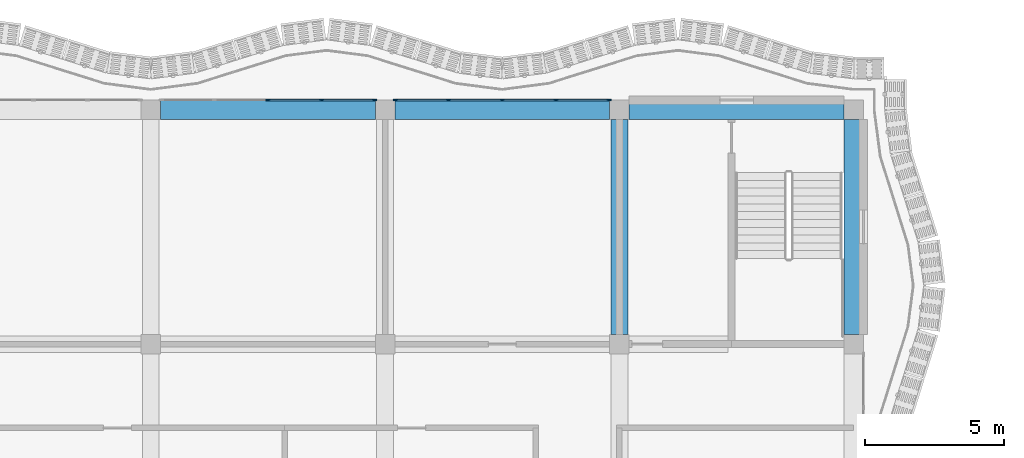
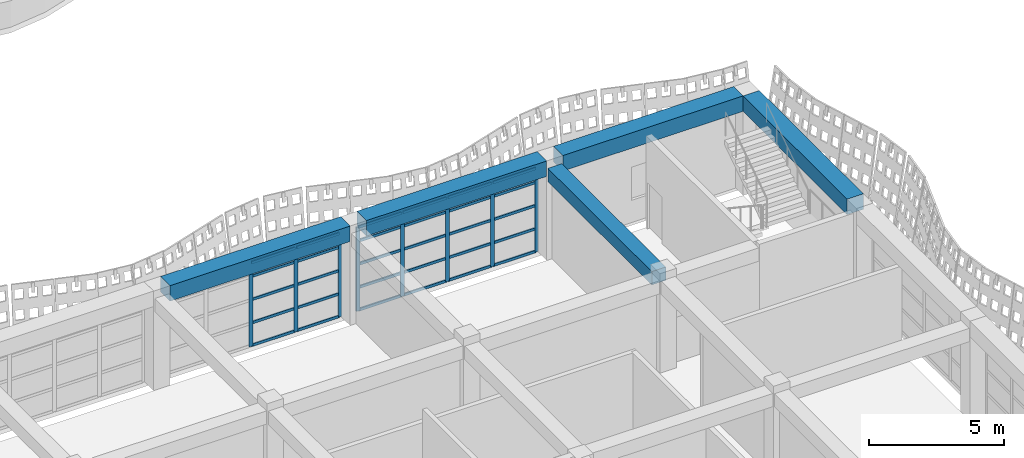
# One storey, part 11 of 163: 38 members, 5 beams, 2 elements without a shape of their own.
"""IFC4 building model written with IfcOpenShell, lengths in metres."""

from ifc_helpers import new_model, si_unit, direction, frame, origin, origin_2d, place, context, subcontext, project, spatial, rectangle, extrude, material, material_profile, profile_set, type_object, element, aggregate, save


model = new_model("IFC4")

# Units and contexts
model_context = context("Model", 3, precision=1e-05, world=origin(), true_north=direction((0.0, 1.0)))
body_context = subcontext(model_context, "Body", "Model", "MODEL_VIEW")
ifc_project = project(units=[si_unit("LENGTHUNIT", "METRE"), si_unit("AREAUNIT", "SQUARE_METRE"), si_unit("VOLUMEUNIT", "CUBIC_METRE"), si_unit("PLANEANGLEUNIT", "RADIAN"), si_unit("MASSUNIT", "GRAM", prefix="KILO")], contexts=[model_context])

# Site, building, storey
site_placement = place(None, origin())
site = spatial("IfcSite", under=ifc_project, at=site_placement, CompositionType="ELEMENT")
building_placement = place(site_placement, origin())
building = spatial("IfcBuilding", under=site, at=building_placement, Name="Rain Tree Exposition and Congress Centre", CompositionType="ELEMENT")
storey_placement = place(building_placement, frame((0.0, 0.0, 10.5)))
storey = spatial("IfcBuildingStorey", under=building, at=storey_placement, Name="L02", CompositionType="ELEMENT", Elevation=10.5)

# Beams
ifc_material_1 = material(Name="Precast concrete C50/60", Category="concrete")
ifc_material_profile_1 = material_profile(ifc_material_1, rectangle(XDim=0.60009765625, YDim=0.60009765625, at=origin_2d()), Name="RC 600x600")
ifc_profile_set_1 = profile_set([ifc_material_profile_1], Name="Precast concrete C50/60")
beam_type_1 = type_object("IfcBeamType", Name="Precast beam 600x600", PredefinedType="BEAM", material=ifc_profile_set_1)
beam_placement = place(storey_placement, frame((42.0, 42.35009765625, 3.85009765625), z_axis=(0.0, 1.0, 0.0), x_axis=(-1.0, 0.0, 0.0)))
element("IfcBeam", 1, at=beam_placement, inside=storey, type_object=beam_type_1, Name="wing/beam/L02/L03/060", PredefinedType="BEAM", context=body_context, shape_type="SweptSolid", body=[
    extrude(rectangle(XDim=0.60009765625, YDim=0.60009765625, at=origin_2d()), origin(), (0.0, 0.0, 1.0), 7.699951171875),
])
ifc_material_2 = material(Name="Precast concrete C50/60", Category="concrete")
ifc_material_profile_2 = material_profile(ifc_material_2, rectangle(XDim=0.699951171875, YDim=0.699951171875, at=origin_2d()), Name="RC 700x700")
ifc_profile_set_2 = profile_set([ifc_material_profile_2], Name="Precast concrete C50/60")
beam_type_2 = type_object("IfcBeamType", Name="Precast spandrel beam 700x700", PredefinedType="SPANDREL", material=ifc_profile_set_2)
for number, where, z_axis, x_axis, name in (
    (2, (25.550048828125, 50.39990234375, 4.14990234375), (1.0, 0.0, 0.0), (0.0, 1.0, 0.0), "wing/beam/L02/L03/067"),
    (3, (33.949951171875, 50.39990234375, 4.14990234375), (1.0, 0.0, 0.0), (0.0, 1.0, 0.0), "wing/beam/L02/L03/069"),
    (4, (42.35009765625, 50.39990234375, 4.14990234375), (1.0, 0.0, 0.0), (0.0, 1.0, 0.0), "wing/beam/L02/L03/071"),
    (5, (50.39990234375, 42.35009765625, 4.14990234375), (0.0, 1.0, 0.0), (-1.0, 0.0, 0.0), "wing/beam/L02/L03/072"),
):
    element("IfcBeam", number, at=place(storey_placement, frame(where, z_axis=z_axis, x_axis=x_axis)), inside=storey, type_object=beam_type_2, Name=name, PredefinedType="SPANDREL", context=body_context, shape_type="SweptSolid", body=[
        extrude(rectangle(XDim=0.699951171875, YDim=0.699951171875, at=origin_2d()), origin(), (0.0, 0.0, 1.0), 7.699951171875),
    ])

# Curtain wall, members
ifc_material_3 = material(Name="Aluminium curtain wall", Category="aluminium")
curtain_wall_type = type_object("IfcCurtainWallType", Name="Wing curtain wall 1925", PredefinedType="NOTDEFINED", material=ifc_material_3)
curtain_wall_1_placement = place(storey_placement, origin())
curtain_wall_1 = element("IfcCurtainWall", 6, at=curtain_wall_1_placement, inside=storey, type_object=curtain_wall_type, Name="Curtain wall CWW306", PredefinedType="NOTDEFINED")
ifc_material_4 = material(Name="Aluminium", Category="aluminium")
ifc_material_profile_3 = material_profile(ifc_material_4, rectangle(XDim=0.06005859375, YDim=0.159912109375, at=origin_2d()), Name="Aluminium 60x160")
ifc_profile_set_3 = profile_set([ifc_material_profile_3], Name="Aluminium")
member_type_1 = type_object("IfcMemberType", Name="Wing mullion 60x160", PredefinedType="MULLION", material=ifc_profile_set_3)
member_1_placement = place(storey_placement, frame((29.39990234375, 50.75, 0.0), z_axis=(0.0, 0.0, 1.0), x_axis=(0.0, 1.0, 0.0)))
member_1 = element("IfcMember", 7, at=member_1_placement, type_object=member_type_1, Name="CWW306 mullion 3", PredefinedType="MULLION", context=body_context, shape_type="SweptSolid", body=[
    extrude(rectangle(XDim=0.06005859375, YDim=0.159912109375, at=origin_2d()), origin(), (0.0, 0.0, 1.0), 3.800048828125),
])
member_2_placement = place(storey_placement, frame((31.324951171875, 50.75, 0.0), z_axis=(0.0, 0.0, 1.0), x_axis=(0.0, 1.0, 0.0)))
member_2 = element("IfcMember", 8, at=member_2_placement, type_object=member_type_1, Name="CWW306 mullion 4", PredefinedType="MULLION", context=body_context, shape_type="SweptSolid", body=[
    extrude(rectangle(XDim=0.06005859375, YDim=0.159912109375, at=origin_2d()), origin(), (0.0, 0.0, 1.0), 3.800048828125),
])
member_3_placement = place(storey_placement, frame((33.219970703125, 50.75, 0.0), z_axis=(0.0, 0.0, 1.0), x_axis=(0.0, 1.0, 0.0)))
member_3 = element("IfcMember", 9, at=member_3_placement, type_object=member_type_1, Name="CWW306 mullion 5", PredefinedType="MULLION", context=body_context, shape_type="SweptSolid", body=[
    extrude(rectangle(XDim=0.06005859375, YDim=0.159912109375, at=origin_2d()), origin(), (0.0, 0.0, 1.0), 3.800048828125),
])

curtain_wall_2_placement = place(storey_placement, origin())
curtain_wall_2 = element("IfcCurtainWall", 10, at=curtain_wall_2_placement, inside=storey, type_object=curtain_wall_type, Name="Curtain wall CWW307", PredefinedType="NOTDEFINED")
member_4_placement = place(storey_placement, frame((33.97998046875, 50.75, 0.0), z_axis=(0.0, 0.0, 1.0), x_axis=(0.0, 1.0, 0.0)))
member_4 = element("IfcMember", 11, at=member_4_placement, type_object=member_type_1, Name="CWW307 mullion 1", PredefinedType="MULLION", context=body_context, shape_type="SweptSolid", body=[
    extrude(rectangle(XDim=0.06005859375, YDim=0.159912109375, at=origin_2d()), origin(), (0.0, 0.0, 1.0), 3.800048828125),
])
member_5_placement = place(storey_placement, frame((35.875, 50.75, 0.0), z_axis=(0.0, 0.0, 1.0), x_axis=(0.0, 1.0, 0.0)))
member_5 = element("IfcMember", 12, at=member_5_placement, type_object=member_type_1, Name="CWW307 mullion 2", PredefinedType="MULLION", context=body_context, shape_type="SweptSolid", body=[
    extrude(rectangle(XDim=0.06005859375, YDim=0.159912109375, at=origin_2d()), origin(), (0.0, 0.0, 1.0), 3.800048828125),
])
member_6_placement = place(storey_placement, frame((37.800048828125, 50.75, 0.0), z_axis=(0.0, 0.0, 1.0), x_axis=(0.0, 1.0, 0.0)))
member_6 = element("IfcMember", 13, at=member_6_placement, type_object=member_type_1, Name="CWW307 mullion 3", PredefinedType="MULLION", context=body_context, shape_type="SweptSolid", body=[
    extrude(rectangle(XDim=0.06005859375, YDim=0.159912109375, at=origin_2d()), origin(), (0.0, 0.0, 1.0), 3.800048828125),
])
member_7_placement = place(storey_placement, frame((39.72509765625, 50.75, 0.0), z_axis=(0.0, 0.0, 1.0), x_axis=(0.0, 1.0, 0.0)))
member_7 = element("IfcMember", 14, at=member_7_placement, type_object=member_type_1, Name="CWW307 mullion 4", PredefinedType="MULLION", context=body_context, shape_type="SweptSolid", body=[
    extrude(rectangle(XDim=0.06005859375, YDim=0.159912109375, at=origin_2d()), origin(), (0.0, 0.0, 1.0), 3.800048828125),
])
member_8_placement = place(storey_placement, frame((41.6201171875, 50.75, 0.0), z_axis=(0.0, 0.0, 1.0), x_axis=(0.0, 1.0, 0.0)))
member_8 = element("IfcMember", 15, at=member_8_placement, type_object=member_type_1, Name="CWW307 mullion 5", PredefinedType="MULLION", context=body_context, shape_type="SweptSolid", body=[
    extrude(rectangle(XDim=0.06005859375, YDim=0.159912109375, at=origin_2d()), origin(), (0.0, 0.0, 1.0), 3.800048828125),
])

# Member
ifc_material_5 = material(Name="Aluminium", Category="aluminium")
ifc_material_profile_4 = material_profile(ifc_material_5, rectangle(XDim=0.06005859375, YDim=0.1201171875, at=origin_2d()), Name="Aluminium 60x120")
ifc_profile_set_4 = profile_set([ifc_material_profile_4], Name="Aluminium")
member_type_2 = type_object("IfcMemberType", Name="Wing transom 60x120", PredefinedType="USERDEFINED", material=ifc_profile_set_4)
member_9_placement = place(storey_placement, frame((29.429931640625, 50.75, 0.030029296875), z_axis=(1.0, 0.0, 0.0), x_axis=(0.0, 1.0, 0.0)))
member_9 = element("IfcMember", 16, at=member_9_placement, type_object=member_type_2, Name="CWW306 transom 3.1", ObjectType="TRANSOM", PredefinedType="USERDEFINED", context=body_context, shape_type="SweptSolid", body=[
    extrude(rectangle(XDim=0.06005859375, YDim=0.1201171875, at=origin_2d()), origin(), (0.0, 0.0, 1.0), 1.864990234375),
])

member_10_placement = place(storey_placement, frame((29.429931640625, 50.75, 1.050048828125), z_axis=(1.0, 0.0, 0.0), x_axis=(0.0, 1.0, 0.0)))
member_10 = element("IfcMember", 17, at=member_10_placement, type_object=member_type_2, Name="CWW306 transom 3.2", ObjectType="TRANSOM", PredefinedType="USERDEFINED", context=body_context, shape_type="SweptSolid", body=[
    extrude(rectangle(XDim=0.06005859375, YDim=0.1201171875, at=origin_2d()), origin(), (0.0, 0.0, 1.0), 1.864990234375),
])

member_11_placement = place(storey_placement, frame((29.429931640625, 50.75, 2.10009765625), z_axis=(1.0, 0.0, 0.0), x_axis=(0.0, 1.0, 0.0)))
member_11 = element("IfcMember", 18, at=member_11_placement, type_object=member_type_2, Name="CWW306 transom 3.3", ObjectType="TRANSOM", PredefinedType="USERDEFINED", context=body_context, shape_type="SweptSolid", body=[
    extrude(rectangle(XDim=0.06005859375, YDim=0.1201171875, at=origin_2d()), origin(), (0.0, 0.0, 1.0), 1.864990234375),
])

member_12_placement = place(storey_placement, frame((29.429931640625, 50.75, 3.14990234375), z_axis=(1.0, 0.0, 0.0), x_axis=(0.0, 1.0, 0.0)))
member_12 = element("IfcMember", 19, at=member_12_placement, type_object=member_type_2, Name="CWW306 transom 3.4", ObjectType="TRANSOM", PredefinedType="USERDEFINED", context=body_context, shape_type="SweptSolid", body=[
    extrude(rectangle(XDim=0.06005859375, YDim=0.1201171875, at=origin_2d()), origin(), (0.0, 0.0, 1.0), 1.864990234375),
])

member_13_placement = place(storey_placement, frame((29.429931640625, 50.75, 3.77001953125), z_axis=(1.0, 0.0, 0.0), x_axis=(0.0, 1.0, 0.0)))
member_13 = element("IfcMember", 20, at=member_13_placement, type_object=member_type_2, Name="CWW306 transom 3.5", ObjectType="TRANSOM", PredefinedType="USERDEFINED", context=body_context, shape_type="SweptSolid", body=[
    extrude(rectangle(XDim=0.06005859375, YDim=0.1201171875, at=origin_2d()), origin(), (0.0, 0.0, 1.0), 1.864990234375),
])

member_14_placement = place(storey_placement, frame((31.35498046875, 50.75, 0.030029296875), z_axis=(1.0, 0.0, 0.0), x_axis=(0.0, 1.0, 0.0)))
member_14 = element("IfcMember", 21, at=member_14_placement, type_object=member_type_2, Name="CWW306 transom 4.1", ObjectType="TRANSOM", PredefinedType="USERDEFINED", context=body_context, shape_type="SweptSolid", body=[
    extrude(rectangle(XDim=0.06005859375, YDim=0.1201171875, at=origin_2d()), origin(), (0.0, 0.0, 1.0), 1.8349609375),
])

member_15_placement = place(storey_placement, frame((31.35498046875, 50.75, 1.050048828125), z_axis=(1.0, 0.0, 0.0), x_axis=(0.0, 1.0, 0.0)))
member_15 = element("IfcMember", 22, at=member_15_placement, type_object=member_type_2, Name="CWW306 transom 4.2", ObjectType="TRANSOM", PredefinedType="USERDEFINED", context=body_context, shape_type="SweptSolid", body=[
    extrude(rectangle(XDim=0.06005859375, YDim=0.1201171875, at=origin_2d()), origin(), (0.0, 0.0, 1.0), 1.8349609375),
])

member_16_placement = place(storey_placement, frame((31.35498046875, 50.75, 2.10009765625), z_axis=(1.0, 0.0, 0.0), x_axis=(0.0, 1.0, 0.0)))
member_16 = element("IfcMember", 23, at=member_16_placement, type_object=member_type_2, Name="CWW306 transom 4.3", ObjectType="TRANSOM", PredefinedType="USERDEFINED", context=body_context, shape_type="SweptSolid", body=[
    extrude(rectangle(XDim=0.06005859375, YDim=0.1201171875, at=origin_2d()), origin(), (0.0, 0.0, 1.0), 1.8349609375),
])

member_17_placement = place(storey_placement, frame((31.35498046875, 50.75, 3.14990234375), z_axis=(1.0, 0.0, 0.0), x_axis=(0.0, 1.0, 0.0)))
member_17 = element("IfcMember", 24, at=member_17_placement, type_object=member_type_2, Name="CWW306 transom 4.4", ObjectType="TRANSOM", PredefinedType="USERDEFINED", context=body_context, shape_type="SweptSolid", body=[
    extrude(rectangle(XDim=0.06005859375, YDim=0.1201171875, at=origin_2d()), origin(), (0.0, 0.0, 1.0), 1.8349609375),
])

member_18_placement = place(storey_placement, frame((31.35498046875, 50.75, 3.77001953125), z_axis=(1.0, 0.0, 0.0), x_axis=(0.0, 1.0, 0.0)))
member_18 = element("IfcMember", 25, at=member_18_placement, type_object=member_type_2, Name="CWW306 transom 4.5", ObjectType="TRANSOM", PredefinedType="USERDEFINED", context=body_context, shape_type="SweptSolid", body=[
    extrude(rectangle(XDim=0.06005859375, YDim=0.1201171875, at=origin_2d()), origin(), (0.0, 0.0, 1.0), 1.8349609375),
])

aggregate(curtain_wall_1, [member_1, member_2, member_3, member_9, member_10, member_11, member_12, member_13, member_14, member_15, member_16, member_17, member_18])

member_19_placement = place(storey_placement, frame((34.010009765625, 50.75, 0.030029296875), z_axis=(1.0, 0.0, 0.0), x_axis=(0.0, 1.0, 0.0)))
member_19 = element("IfcMember", 26, at=member_19_placement, type_object=member_type_2, Name="CWW307 transom 1.1", ObjectType="TRANSOM", PredefinedType="USERDEFINED", context=body_context, shape_type="SweptSolid", body=[
    extrude(rectangle(XDim=0.06005859375, YDim=0.1201171875, at=origin_2d()), origin(), (0.0, 0.0, 1.0), 1.8349609375),
])

member_20_placement = place(storey_placement, frame((34.010009765625, 50.75, 1.050048828125), z_axis=(1.0, 0.0, 0.0), x_axis=(0.0, 1.0, 0.0)))
member_20 = element("IfcMember", 27, at=member_20_placement, type_object=member_type_2, Name="CWW307 transom 1.2", ObjectType="TRANSOM", PredefinedType="USERDEFINED", context=body_context, shape_type="SweptSolid", body=[
    extrude(rectangle(XDim=0.06005859375, YDim=0.1201171875, at=origin_2d()), origin(), (0.0, 0.0, 1.0), 1.8349609375),
])

member_21_placement = place(storey_placement, frame((34.010009765625, 50.75, 2.10009765625), z_axis=(1.0, 0.0, 0.0), x_axis=(0.0, 1.0, 0.0)))
member_21 = element("IfcMember", 28, at=member_21_placement, type_object=member_type_2, Name="CWW307 transom 1.3", ObjectType="TRANSOM", PredefinedType="USERDEFINED", context=body_context, shape_type="SweptSolid", body=[
    extrude(rectangle(XDim=0.06005859375, YDim=0.1201171875, at=origin_2d()), origin(), (0.0, 0.0, 1.0), 1.8349609375),
])

member_22_placement = place(storey_placement, frame((34.010009765625, 50.75, 3.14990234375), z_axis=(1.0, 0.0, 0.0), x_axis=(0.0, 1.0, 0.0)))
member_22 = element("IfcMember", 29, at=member_22_placement, type_object=member_type_2, Name="CWW307 transom 1.4", ObjectType="TRANSOM", PredefinedType="USERDEFINED", context=body_context, shape_type="SweptSolid", body=[
    extrude(rectangle(XDim=0.06005859375, YDim=0.1201171875, at=origin_2d()), origin(), (0.0, 0.0, 1.0), 1.8349609375),
])

member_23_placement = place(storey_placement, frame((34.010009765625, 50.75, 3.77001953125), z_axis=(1.0, 0.0, 0.0), x_axis=(0.0, 1.0, 0.0)))
member_23 = element("IfcMember", 30, at=member_23_placement, type_object=member_type_2, Name="CWW307 transom 1.5", ObjectType="TRANSOM", PredefinedType="USERDEFINED", context=body_context, shape_type="SweptSolid", body=[
    extrude(rectangle(XDim=0.06005859375, YDim=0.1201171875, at=origin_2d()), origin(), (0.0, 0.0, 1.0), 1.8349609375),
])

member_24_placement = place(storey_placement, frame((35.905029296875, 50.75, 0.030029296875), z_axis=(1.0, 0.0, 0.0), x_axis=(0.0, 1.0, 0.0)))
member_24 = element("IfcMember", 31, at=member_24_placement, type_object=member_type_2, Name="CWW307 transom 2.1", ObjectType="TRANSOM", PredefinedType="USERDEFINED", context=body_context, shape_type="SweptSolid", body=[
    extrude(rectangle(XDim=0.06005859375, YDim=0.1201171875, at=origin_2d()), origin(), (0.0, 0.0, 1.0), 1.864990234375),
])

member_25_placement = place(storey_placement, frame((35.905029296875, 50.75, 1.050048828125), z_axis=(1.0, 0.0, 0.0), x_axis=(0.0, 1.0, 0.0)))
member_25 = element("IfcMember", 32, at=member_25_placement, type_object=member_type_2, Name="CWW307 transom 2.2", ObjectType="TRANSOM", PredefinedType="USERDEFINED", context=body_context, shape_type="SweptSolid", body=[
    extrude(rectangle(XDim=0.06005859375, YDim=0.1201171875, at=origin_2d()), origin(), (0.0, 0.0, 1.0), 1.864990234375),
])

member_26_placement = place(storey_placement, frame((35.905029296875, 50.75, 2.10009765625), z_axis=(1.0, 0.0, 0.0), x_axis=(0.0, 1.0, 0.0)))
member_26 = element("IfcMember", 33, at=member_26_placement, type_object=member_type_2, Name="CWW307 transom 2.3", ObjectType="TRANSOM", PredefinedType="USERDEFINED", context=body_context, shape_type="SweptSolid", body=[
    extrude(rectangle(XDim=0.06005859375, YDim=0.1201171875, at=origin_2d()), origin(), (0.0, 0.0, 1.0), 1.864990234375),
])

member_27_placement = place(storey_placement, frame((35.905029296875, 50.75, 3.14990234375), z_axis=(1.0, 0.0, 0.0), x_axis=(0.0, 1.0, 0.0)))
member_27 = element("IfcMember", 34, at=member_27_placement, type_object=member_type_2, Name="CWW307 transom 2.4", ObjectType="TRANSOM", PredefinedType="USERDEFINED", context=body_context, shape_type="SweptSolid", body=[
    extrude(rectangle(XDim=0.06005859375, YDim=0.1201171875, at=origin_2d()), origin(), (0.0, 0.0, 1.0), 1.864990234375),
])

member_28_placement = place(storey_placement, frame((35.905029296875, 50.75, 3.77001953125), z_axis=(1.0, 0.0, 0.0), x_axis=(0.0, 1.0, 0.0)))
member_28 = element("IfcMember", 35, at=member_28_placement, type_object=member_type_2, Name="CWW307 transom 2.5", ObjectType="TRANSOM", PredefinedType="USERDEFINED", context=body_context, shape_type="SweptSolid", body=[
    extrude(rectangle(XDim=0.06005859375, YDim=0.1201171875, at=origin_2d()), origin(), (0.0, 0.0, 1.0), 1.864990234375),
])

member_29_placement = place(storey_placement, frame((37.830078125, 50.75, 0.030029296875), z_axis=(1.0, 0.0, 0.0), x_axis=(0.0, 1.0, 0.0)))
member_29 = element("IfcMember", 36, at=member_29_placement, type_object=member_type_2, Name="CWW307 transom 3.1", ObjectType="TRANSOM", PredefinedType="USERDEFINED", context=body_context, shape_type="SweptSolid", body=[
    extrude(rectangle(XDim=0.06005859375, YDim=0.1201171875, at=origin_2d()), origin(), (0.0, 0.0, 1.0), 1.864990234375),
])

member_30_placement = place(storey_placement, frame((37.830078125, 50.75, 1.050048828125), z_axis=(1.0, 0.0, 0.0), x_axis=(0.0, 1.0, 0.0)))
member_30 = element("IfcMember", 37, at=member_30_placement, type_object=member_type_2, Name="CWW307 transom 3.2", ObjectType="TRANSOM", PredefinedType="USERDEFINED", context=body_context, shape_type="SweptSolid", body=[
    extrude(rectangle(XDim=0.06005859375, YDim=0.1201171875, at=origin_2d()), origin(), (0.0, 0.0, 1.0), 1.864990234375),
])

member_31_placement = place(storey_placement, frame((37.830078125, 50.75, 2.10009765625), z_axis=(1.0, 0.0, 0.0), x_axis=(0.0, 1.0, 0.0)))
member_31 = element("IfcMember", 38, at=member_31_placement, type_object=member_type_2, Name="CWW307 transom 3.3", ObjectType="TRANSOM", PredefinedType="USERDEFINED", context=body_context, shape_type="SweptSolid", body=[
    extrude(rectangle(XDim=0.06005859375, YDim=0.1201171875, at=origin_2d()), origin(), (0.0, 0.0, 1.0), 1.864990234375),
])

member_32_placement = place(storey_placement, frame((37.830078125, 50.75, 3.14990234375), z_axis=(1.0, 0.0, 0.0), x_axis=(0.0, 1.0, 0.0)))
member_32 = element("IfcMember", 39, at=member_32_placement, type_object=member_type_2, Name="CWW307 transom 3.4", ObjectType="TRANSOM", PredefinedType="USERDEFINED", context=body_context, shape_type="SweptSolid", body=[
    extrude(rectangle(XDim=0.06005859375, YDim=0.1201171875, at=origin_2d()), origin(), (0.0, 0.0, 1.0), 1.864990234375),
])

member_33_placement = place(storey_placement, frame((37.830078125, 50.75, 3.77001953125), z_axis=(1.0, 0.0, 0.0), x_axis=(0.0, 1.0, 0.0)))
member_33 = element("IfcMember", 40, at=member_33_placement, type_object=member_type_2, Name="CWW307 transom 3.5", ObjectType="TRANSOM", PredefinedType="USERDEFINED", context=body_context, shape_type="SweptSolid", body=[
    extrude(rectangle(XDim=0.06005859375, YDim=0.1201171875, at=origin_2d()), origin(), (0.0, 0.0, 1.0), 1.864990234375),
])

member_34_placement = place(storey_placement, frame((39.7548828125, 50.75, 0.030029296875), z_axis=(1.0, 0.0, 0.0), x_axis=(0.0, 1.0, 0.0)))
member_34 = element("IfcMember", 41, at=member_34_placement, type_object=member_type_2, Name="CWW307 transom 4.1", ObjectType="TRANSOM", PredefinedType="USERDEFINED", context=body_context, shape_type="SweptSolid", body=[
    extrude(rectangle(XDim=0.06005859375, YDim=0.1201171875, at=origin_2d()), origin(), (0.0, 0.0, 1.0), 1.835205078125),
])

member_35_placement = place(storey_placement, frame((39.7548828125, 50.75, 1.050048828125), z_axis=(1.0, 0.0, 0.0), x_axis=(0.0, 1.0, 0.0)))
member_35 = element("IfcMember", 42, at=member_35_placement, type_object=member_type_2, Name="CWW307 transom 4.2", ObjectType="TRANSOM", PredefinedType="USERDEFINED", context=body_context, shape_type="SweptSolid", body=[
    extrude(rectangle(XDim=0.06005859375, YDim=0.1201171875, at=origin_2d()), origin(), (0.0, 0.0, 1.0), 1.835205078125),
])

member_36_placement = place(storey_placement, frame((39.7548828125, 50.75, 2.10009765625), z_axis=(1.0, 0.0, 0.0), x_axis=(0.0, 1.0, 0.0)))
member_36 = element("IfcMember", 43, at=member_36_placement, type_object=member_type_2, Name="CWW307 transom 4.3", ObjectType="TRANSOM", PredefinedType="USERDEFINED", context=body_context, shape_type="SweptSolid", body=[
    extrude(rectangle(XDim=0.06005859375, YDim=0.1201171875, at=origin_2d()), origin(), (0.0, 0.0, 1.0), 1.835205078125),
])

member_37_placement = place(storey_placement, frame((39.7548828125, 50.75, 3.14990234375), z_axis=(1.0, 0.0, 0.0), x_axis=(0.0, 1.0, 0.0)))
member_37 = element("IfcMember", 44, at=member_37_placement, type_object=member_type_2, Name="CWW307 transom 4.4", ObjectType="TRANSOM", PredefinedType="USERDEFINED", context=body_context, shape_type="SweptSolid", body=[
    extrude(rectangle(XDim=0.06005859375, YDim=0.1201171875, at=origin_2d()), origin(), (0.0, 0.0, 1.0), 1.835205078125),
])

member_38_placement = place(storey_placement, frame((39.7548828125, 50.75, 3.77001953125), z_axis=(1.0, 0.0, 0.0), x_axis=(0.0, 1.0, 0.0)))
member_38 = element("IfcMember", 45, at=member_38_placement, type_object=member_type_2, Name="CWW307 transom 4.5", ObjectType="TRANSOM", PredefinedType="USERDEFINED", context=body_context, shape_type="SweptSolid", body=[
    extrude(rectangle(XDim=0.06005859375, YDim=0.1201171875, at=origin_2d()), origin(), (0.0, 0.0, 1.0), 1.835205078125),
])

aggregate(curtain_wall_2, [member_4, member_5, member_6, member_7, member_8, member_19, member_20, member_21, member_22, member_23, member_24, member_25, member_26, member_27, member_28, member_29, member_30, member_31, member_32, member_33, member_34, member_35, member_36, member_37, member_38])

save(model, "model.ifc")
